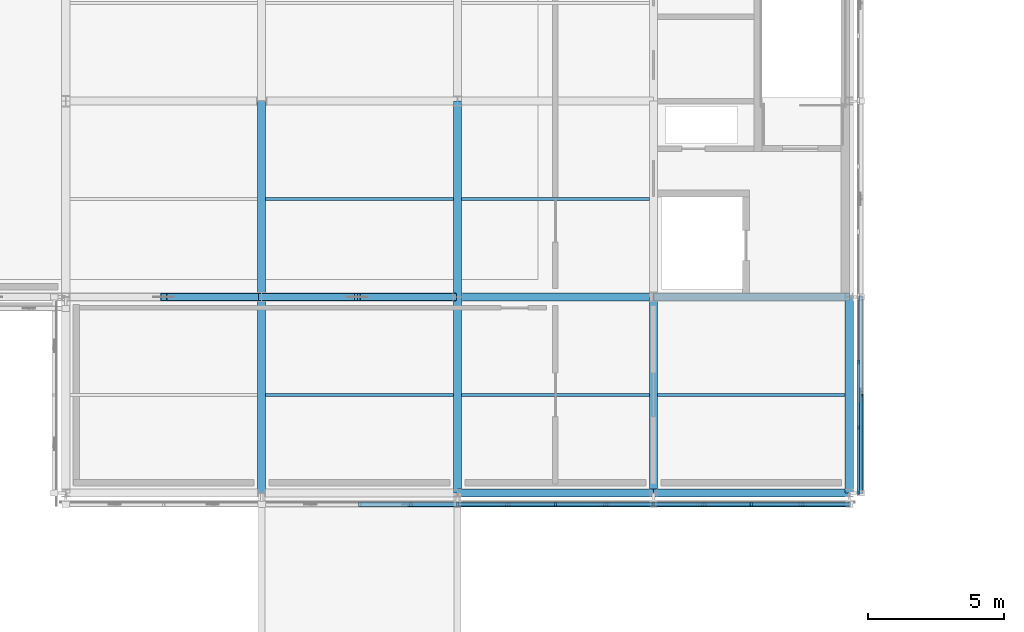
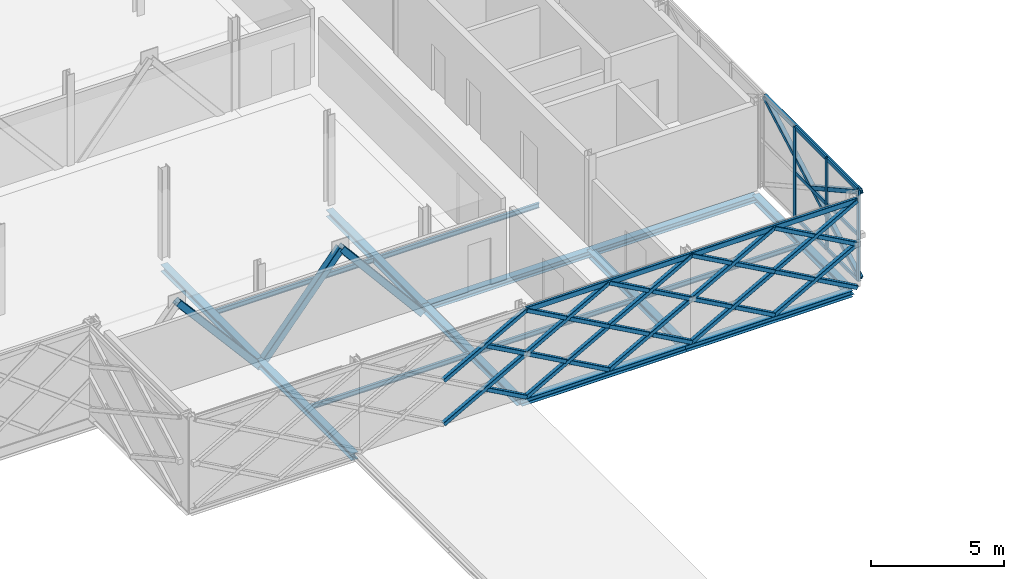
# One storey, part 34 of 103: 45 members, 15 beams, 1 element without a shape of its own.
"""IFC4 building model written with IfcOpenShell, lengths in metres."""

from ifc_helpers import new_model, si_unit, direction, frame, origin, origin_2d, place, context, subcontext, project, spatial, rectangle, hollow_rectangle, i_section, extrude, material, material_profile, profile_set, type_object, element, aggregate, save


model = new_model("IFC4")

# Units and contexts
model_context = context("Model", 3, precision=1e-05, world=origin(), true_north=direction((0.0, 1.0)))
body_context = subcontext(model_context, "Body", "Model", "MODEL_VIEW")
ifc_project = project(units=[si_unit("LENGTHUNIT", "METRE"), si_unit("AREAUNIT", "SQUARE_METRE"), si_unit("VOLUMEUNIT", "CUBIC_METRE"), si_unit("PLANEANGLEUNIT", "RADIAN"), si_unit("MASSUNIT", "GRAM", prefix="KILO")], contexts=[model_context])

# Site, building, storey
site_placement = place(None, origin())
site = spatial("IfcSite", under=ifc_project, at=site_placement, CompositionType="ELEMENT")
building_placement = place(site_placement, origin())
building = spatial("IfcBuilding", under=site, at=building_placement, Name="Zlatovets Crest Museum", CompositionType="ELEMENT")
storey_placement = place(building_placement, frame((0.0, 0.0, 12.89990234375)))
storey = spatial("IfcBuildingStorey", under=building, at=storey_placement, Name="L03", CompositionType="ELEMENT", Elevation=12.89990234375)

# Beams
ifc_material_1 = material(Name="Structural steel S355J2", Category="steel")
ifc_material_profile_1 = material_profile(ifc_material_1, i_section(OverallWidth=0.300048828125, OverallDepth=0.31005859375, WebThickness=0.009033203125, FlangeThickness=0.015380859375, FilletRadius=0.027099609375, at=origin_2d()), Name="HEA 320")
ifc_profile_set_1 = profile_set([ifc_material_profile_1], Name="Structural steel S355J2")
beam_type_1 = type_object("IfcBeamType", Name="Beam_B-04", PredefinedType="BEAM", material=ifc_profile_set_1)
beam_1_placement = place(storey_placement, frame((14.39990234375, 50.39990234375, -0.39501953125), z_axis=(0.0, 1.0, 0.0), x_axis=(-1.0, 0.0, 0.0)))
element("IfcBeam", 1, at=beam_1_placement, inside=storey, type_object=beam_type_1, Name="V4 L03 Grid Beam B-04", PredefinedType="BEAM", context=body_context, shape_type="SweptSolid", body=[
    extrude(i_section(OverallWidth=0.300048828125, OverallDepth=0.31005859375, WebThickness=0.009033203125, FlangeThickness=0.015380859375, FilletRadius=0.027099609375, at=origin_2d()), origin(), (0.0, 0.0, 1.0), 7.2001953125),
])
beam_2_placement = place(storey_placement, frame((14.39990234375, 57.60009765625, -0.39501953125), z_axis=(0.0, 1.0, 0.0), x_axis=(-1.0, 0.0, 0.0)))
element("IfcBeam", 2, at=beam_2_placement, inside=storey, type_object=beam_type_1, Name="V4 L03 Grid Beam B-04", PredefinedType="BEAM", context=body_context, shape_type="SweptSolid", body=[
    extrude(i_section(OverallWidth=0.300048828125, OverallDepth=0.31005859375, WebThickness=0.009033203125, FlangeThickness=0.015380859375, FilletRadius=0.027099609375, at=origin_2d()), origin(), (0.0, 0.0, 1.0), 7.199951171875),
])
beam_3_placement = place(storey_placement, frame((21.60009765625, 50.39990234375, -0.39501953125), z_axis=(0.0, 1.0, 0.0), x_axis=(-1.0, 0.0, 0.0)))
element("IfcBeam", 3, at=beam_3_placement, inside=storey, type_object=beam_type_1, Name="V4 L03 Grid Beam B-04", PredefinedType="BEAM", context=body_context, shape_type="SweptSolid", body=[
    extrude(i_section(OverallWidth=0.300048828125, OverallDepth=0.31005859375, WebThickness=0.009033203125, FlangeThickness=0.015380859375, FilletRadius=0.027099609375, at=origin_2d()), origin(), (0.0, 0.0, 1.0), 7.2001953125),
])
beam_4_placement = place(storey_placement, frame((21.60009765625, 57.60009765625, -0.39501953125), z_axis=(0.0, 1.0, 0.0), x_axis=(-1.0, 0.0, 0.0)))
element("IfcBeam", 4, at=beam_4_placement, inside=storey, type_object=beam_type_1, Name="V4 L03 Grid Beam B-04", PredefinedType="BEAM", context=body_context, shape_type="SweptSolid", body=[
    extrude(i_section(OverallWidth=0.300048828125, OverallDepth=0.31005859375, WebThickness=0.009033203125, FlangeThickness=0.015380859375, FilletRadius=0.027099609375, at=origin_2d()), origin(), (0.0, 0.0, 1.0), 7.199951171875),
])
for number, where, z_axis, x_axis, name in (
    (5, (28.800048828125, 50.39990234375, -0.39501953125), (0.0, 1.0, 0.0), (-1.0, 0.0, 0.0), "V4 L03 Grid Beam B-04"),
    (6, (36.0, 50.39990234375, -0.39501953125), (0.0, 1.0, 0.0), (-1.0, 0.0, 0.0), "V4 L03 Grid Beam B-04"),
):
    element("IfcBeam", number, at=place(storey_placement, frame(where, z_axis=z_axis, x_axis=x_axis)), inside=storey, type_object=beam_type_1, Name=name, PredefinedType="BEAM", context=body_context, shape_type="SweptSolid", body=[
        extrude(i_section(OverallWidth=0.300048828125, OverallDepth=0.31005859375, WebThickness=0.009033203125, FlangeThickness=0.015380859375, FilletRadius=0.027099609375, at=origin_2d()), origin(), (0.0, 0.0, 1.0), 7.2001953125),
    ])
ifc_material_profile_2 = material_profile(ifc_material_1, i_section(OverallWidth=0.300048828125, OverallDepth=0.2900390625, WebThickness=0.008544921875, FlangeThickness=0.013916015625, FilletRadius=0.027099609375, at=origin_2d()), Name="HEA 300")
ifc_profile_set_2 = profile_set([ifc_material_profile_2], Name="Structural steel S355J2")
beam_type_2 = type_object("IfcBeamType", Name="Beam_B-12", PredefinedType="BEAM", material=ifc_profile_set_2)
for number, where, z_axis, x_axis, name in (
    (7, (21.60009765625, 50.39990234375, -0.385009765625), (1.0, 0.0, 0.0), (0.0, 1.0, 0.0), "V4 L03 Primary Girder B-12"),
    (8, (28.800048828125, 50.39990234375, -0.385009765625), (1.0, 0.0, 0.0), (0.0, 1.0, 0.0), "V4 L03 Primary Girder B-12"),
    (9, (21.60009765625, 57.60009765625, -0.385009765625), (1.0, 0.0, 0.0), (0.0, 1.0, 0.0), "V4 L03 Primary Girder B-12"),
    (10, (28.800048828125, 57.60009765625, -0.385009765625), (1.0, 0.0, 0.0), (0.0, 1.0, 0.0), "V4 L03 Primary Girder B-12"),
):
    element("IfcBeam", number, at=place(storey_placement, frame(where, z_axis=z_axis, x_axis=x_axis)), inside=storey, type_object=beam_type_2, Name=name, PredefinedType="BEAM", context=body_context, shape_type="SweptSolid", body=[
        extrude(i_section(OverallWidth=0.300048828125, OverallDepth=0.2900390625, WebThickness=0.008544921875, FlangeThickness=0.013916015625, FilletRadius=0.027099609375, at=origin_2d()), origin(), (0.0, 0.0, 1.0), 7.199951171875),
    ])
ifc_material_profile_3 = material_profile(ifc_material_1, i_section(OverallWidth=0.110107421875, OverallDepth=0.219970703125, WebThickness=0.005859375, FlangeThickness=0.00927734375, FilletRadius=0.011962890625, at=origin_2d()), Name="IPE 220")
ifc_profile_set_3 = profile_set([ifc_material_profile_3], Name="Structural steel S355J2")
beam_type_3 = type_object("IfcBeamType", Name="Beam_J-10", PredefinedType="JOIST", material=ifc_profile_set_3)
for number, where, z_axis, x_axis, name in (
    (11, (14.550048828125, 54.0, -0.349853515625), (1.0, 0.0, 0.0), (0.0, 1.0, 0.0), "V4 L03 Composite Joist J-10"),
    (12, (14.550048828125, 61.199951171875, -0.349853515625), (1.0, 0.0, 0.0), (0.0, 1.0, 0.0), "V4 L03 Composite Joist J-10"),
    (13, (21.75, 54.0, -0.349853515625), (1.0, 0.0, 0.0), (0.0, 1.0, 0.0), "V4 L03 Composite Joist J-10"),
    (14, (21.75, 61.199951171875, -0.349853515625), (1.0, 0.0, 0.0), (0.0, 1.0, 0.0), "V4 L03 Composite Joist J-10"),
):
    element("IfcBeam", number, at=place(storey_placement, frame(where, z_axis=z_axis, x_axis=x_axis)), inside=storey, type_object=beam_type_3, Name=name, PredefinedType="JOIST", context=body_context, shape_type="SweptSolid", body=[
        extrude(i_section(OverallWidth=0.110107421875, OverallDepth=0.219970703125, WebThickness=0.005859375, FlangeThickness=0.00927734375, FilletRadius=0.011962890625, at=origin_2d()), origin(), (0.0, 0.0, 1.0), 6.89990234375),
    ])
beam_5_placement = place(storey_placement, frame((28.949951171875, 54.0, -0.349853515625), z_axis=(1.0, 0.0, 0.0), x_axis=(0.0, 1.0, 0.0)))
element("IfcBeam", 15, at=beam_5_placement, inside=storey, type_object=beam_type_3, Name="V4 L03 Composite Joist J-10", PredefinedType="JOIST", context=body_context, shape_type="SweptSolid", body=[
    extrude(i_section(OverallWidth=0.110107421875, OverallDepth=0.219970703125, WebThickness=0.005859375, FlangeThickness=0.00927734375, FilletRadius=0.011962890625, at=origin_2d()), origin(), (0.0, 0.0, 1.0), 6.900146484375),
])

# Curtain wall, members
ifc_material_2 = material(Name="Bronze-anodised aluminium and low-E triple glass", Category="aluminium")
curtain_wall_type = type_object("IfcCurtainWallType", Name="CW_CW-V4-L03-M0", PredefinedType="NOTDEFINED", material=ifc_material_2)
curtain_wall_placement = place(storey_placement, origin())
curtain_wall = element("IfcCurtainWall", 16, at=curtain_wall_placement, inside=storey, type_object=curtain_wall_type, Name="V4 L03 Secession Foyer Clear Curtain Wall", PredefinedType="NOTDEFINED")
ifc_material_3 = material(Name="Bronze-anodised aluminium EN AW-6060", Category="aluminium")
ifc_material_profile_4 = material_profile(ifc_material_3, rectangle(XDim=0.080078125, YDim=0.159912109375, at=origin_2d()), Name="ALU 80x160")
ifc_profile_set_4 = profile_set([ifc_material_profile_4], Name="Bronze-anodised aluminium EN AW-6060")
member_type_1 = type_object("IfcMemberType", Name="CWMull_M1", PredefinedType="MULLION", material=ifc_profile_set_4)
member_1_placement = place(storey_placement, frame((36.340087890625, 50.429931640625, 0.0), z_axis=(0.0, 0.0, 1.0), x_axis=(-1.0, 0.0, 0.0)))
member_1 = element("IfcMember", 17, at=member_1_placement, type_object=member_type_1, Name="CW-V4-L03-M0 mullion 1", PredefinedType="MULLION", context=body_context, shape_type="SweptSolid", body=[
    extrude(rectangle(XDim=0.080078125, YDim=0.159912109375, at=origin_2d()), origin(), (0.0, 0.0, 1.0), 4.2001953125),
])
member_2_placement = place(storey_placement, frame((36.340087890625, 52.800048828125, 0.0), z_axis=(0.0, 0.0, 1.0), x_axis=(-1.0, 0.0, 0.0)))
member_2 = element("IfcMember", 18, at=member_2_placement, type_object=member_type_1, Name="CW-V4-L03-M0 mullion 2", PredefinedType="MULLION", context=body_context, shape_type="SweptSolid", body=[
    extrude(rectangle(XDim=0.080078125, YDim=0.159912109375, at=origin_2d()), origin(), (0.0, 0.0, 1.0), 4.2001953125),
])
member_3_placement = place(storey_placement, frame((36.340087890625, 55.199951171875, 0.0), z_axis=(0.0, 0.0, 1.0), x_axis=(-1.0, 0.0, 0.0)))
member_3 = element("IfcMember", 19, at=member_3_placement, type_object=member_type_1, Name="CW-V4-L03-M0 mullion 3", PredefinedType="MULLION", context=body_context, shape_type="SweptSolid", body=[
    extrude(rectangle(XDim=0.080078125, YDim=0.159912109375, at=origin_2d()), origin(), (0.0, 0.0, 1.0), 4.2001953125),
])
ifc_material_profile_5 = material_profile(ifc_material_3, rectangle(XDim=0.080078125, YDim=0.159912109375, at=origin_2d()), Name="ALU 80x160")
ifc_profile_set_5 = profile_set([ifc_material_profile_5], Name="Bronze-anodised aluminium EN AW-6060")
member_type_2 = type_object("IfcMemberType", Name="CWTrans_T1", PredefinedType="USERDEFINED", material=ifc_profile_set_5)
member_4_placement = place(storey_placement, frame((36.340087890625, 50.4599609375, 0.030029296875), z_axis=(0.0, 1.0, 0.0), x_axis=(-1.0, 0.0, 0.0)))
member_4 = element("IfcMember", 20, at=member_4_placement, type_object=member_type_2, Name="CW-V4-L03-M0 transom 1.1", ObjectType="TRANSOM", PredefinedType="USERDEFINED", context=body_context, shape_type="SweptSolid", body=[
    extrude(rectangle(XDim=0.080078125, YDim=0.159912109375, at=origin_2d()), origin(), (0.0, 0.0, 1.0), 2.31005859375),
])
member_5_placement = place(storey_placement, frame((36.340087890625, 50.4599609375, 2.10009765625), z_axis=(0.0, 1.0, 0.0), x_axis=(-1.0, 0.0, 0.0)))
member_5 = element("IfcMember", 21, at=member_5_placement, type_object=member_type_2, Name="CW-V4-L03-M0 transom 1.2", ObjectType="TRANSOM", PredefinedType="USERDEFINED", context=body_context, shape_type="SweptSolid", body=[
    extrude(rectangle(XDim=0.080078125, YDim=0.159912109375, at=origin_2d()), origin(), (0.0, 0.0, 1.0), 2.31005859375),
])
member_6_placement = place(storey_placement, frame((36.340087890625, 50.4599609375, 4.170166015625), z_axis=(0.0, 1.0, 0.0), x_axis=(-1.0, 0.0, 0.0)))
member_6 = element("IfcMember", 22, at=member_6_placement, type_object=member_type_2, Name="CW-V4-L03-M0 transom 1.3", ObjectType="TRANSOM", PredefinedType="USERDEFINED", context=body_context, shape_type="SweptSolid", body=[
    extrude(rectangle(XDim=0.080078125, YDim=0.159912109375, at=origin_2d()), origin(), (0.0, 0.0, 1.0), 2.31005859375),
])
member_7_placement = place(storey_placement, frame((36.340087890625, 52.830078125, 0.030029296875), z_axis=(0.0, 1.0, 0.0), x_axis=(-1.0, 0.0, 0.0)))
member_7 = element("IfcMember", 23, at=member_7_placement, type_object=member_type_2, Name="CW-V4-L03-M0 transom 2.1", ObjectType="TRANSOM", PredefinedType="USERDEFINED", context=body_context, shape_type="SweptSolid", body=[
    extrude(rectangle(XDim=0.080078125, YDim=0.159912109375, at=origin_2d()), origin(), (0.0, 0.0, 1.0), 2.33984375),
])
member_8_placement = place(storey_placement, frame((36.340087890625, 52.830078125, 2.10009765625), z_axis=(0.0, 1.0, 0.0), x_axis=(-1.0, 0.0, 0.0)))
member_8 = element("IfcMember", 24, at=member_8_placement, type_object=member_type_2, Name="CW-V4-L03-M0 transom 2.2", ObjectType="TRANSOM", PredefinedType="USERDEFINED", context=body_context, shape_type="SweptSolid", body=[
    extrude(rectangle(XDim=0.080078125, YDim=0.159912109375, at=origin_2d()), origin(), (0.0, 0.0, 1.0), 2.33984375),
])
member_9_placement = place(storey_placement, frame((36.340087890625, 52.830078125, 4.170166015625), z_axis=(0.0, 1.0, 0.0), x_axis=(-1.0, 0.0, 0.0)))
member_9 = element("IfcMember", 25, at=member_9_placement, type_object=member_type_2, Name="CW-V4-L03-M0 transom 2.3", ObjectType="TRANSOM", PredefinedType="USERDEFINED", context=body_context, shape_type="SweptSolid", body=[
    extrude(rectangle(XDim=0.080078125, YDim=0.159912109375, at=origin_2d()), origin(), (0.0, 0.0, 1.0), 2.33984375),
])
aggregate(curtain_wall, [member_1, member_2, member_3, member_4, member_5, member_6, member_7, member_8, member_9])

# Members
ifc_material_4 = material(Name="Weathering bronze-steel S355J2W", Category="steel")
ifc_material_profile_6 = material_profile(ifc_material_4, hollow_rectangle(XDim=0.179931640625, YDim=0.179931640625, WallThickness=0.010009765625, InnerFilletRadius=0.010009765625, OuterFilletRadius=0.02001953125, at=origin_2d()), Name="SHS 180x180x10.0")
ifc_profile_set_6 = profile_set([ifc_material_profile_6], Name="Weathering bronze-steel S355J2W")
member_type_3 = type_object("IfcMemberType", Name="Lattice_XL-01", PredefinedType="BRACE", material=ifc_profile_set_6)
member_10_placement = place(storey_placement, frame((18.0, 49.97998046875, 0.10009765625), z_axis=(0.874162868644, 0.0, 0.485632864501), x_axis=(0.0, 1.0, 0.0)))
element("IfcMember", 26, at=member_10_placement, inside=storey, type_object=member_type_3, Name="Continuous Bronze Lattice Diagonal", PredefinedType="BRACE", context=body_context, shape_type="SweptSolid", body=[
    extrude(hollow_rectangle(XDim=0.179931640625, YDim=0.179931640625, WallThickness=0.010009765625, InnerFilletRadius=0.010009765625, OuterFilletRadius=0.02001953125, at=origin_2d()), origin(), (0.0, 0.0, 1.0), 4.118408203125),
])
member_11_placement = place(storey_placement, frame((19.883056640625, 49.97998046875, 1.053955078125), z_axis=(0.874169001841, 0.0, -0.485621824284), x_axis=(0.0, 1.0, 0.0)))
element("IfcMember", 27, at=member_11_placement, inside=storey, type_object=member_type_3, Name="Split Crossing Bronze Lattice Diagonal Lower", PredefinedType="BRACE", context=body_context, shape_type="SweptSolid", body=[
    extrude(hollow_rectangle(XDim=0.179931640625, YDim=0.179931640625, WallThickness=0.010009765625, InnerFilletRadius=0.010009765625, OuterFilletRadius=0.02001953125, at=origin_2d()), origin(), (0.0, 0.0, 1.0), 1.964111328125),
])
member_12_placement = place(storey_placement, frame((18.0, 49.97998046875, 2.10009765625), z_axis=(0.874162868644, 0.0, 0.485632864501), x_axis=(0.0, 1.0, 0.0)))
element("IfcMember", 28, at=member_12_placement, inside=storey, type_object=member_type_3, Name="Continuous Bronze Lattice Diagonal", PredefinedType="BRACE", context=body_context, shape_type="SweptSolid", body=[
    extrude(hollow_rectangle(XDim=0.179931640625, YDim=0.179931640625, WallThickness=0.010009765625, InnerFilletRadius=0.010009765625, OuterFilletRadius=0.02001953125, at=origin_2d()), origin(), (0.0, 0.0, 1.0), 4.118408203125),
])
member_13_placement = place(storey_placement, frame((19.883056640625, 49.97998046875, 3.053955078125), z_axis=(0.874169001841, 0.0, -0.485621824284), x_axis=(0.0, 1.0, 0.0)))
element("IfcMember", 29, at=member_13_placement, inside=storey, type_object=member_type_3, Name="Split Crossing Bronze Lattice Diagonal Lower", PredefinedType="BRACE", context=body_context, shape_type="SweptSolid", body=[
    extrude(hollow_rectangle(XDim=0.179931640625, YDim=0.179931640625, WallThickness=0.010009765625, InnerFilletRadius=0.010009765625, OuterFilletRadius=0.02001953125, at=origin_2d()), origin(), (0.0, 0.0, 1.0), 1.964111328125),
])
member_14_placement = place(storey_placement, frame((21.60009765625, 49.97998046875, 0.10009765625), z_axis=(0.874148886685, 0.0, 0.485658031857), x_axis=(0.0, 1.0, 0.0)))
element("IfcMember", 30, at=member_14_placement, inside=storey, type_object=member_type_3, Name="Continuous Bronze Lattice Diagonal", PredefinedType="BRACE", context=body_context, shape_type="SweptSolid", body=[
    extrude(hollow_rectangle(XDim=0.179931640625, YDim=0.179931640625, WallThickness=0.010009765625, InnerFilletRadius=0.010009765625, OuterFilletRadius=0.02001953125, at=origin_2d()), origin(), (0.0, 0.0, 1.0), 4.1181640625),
])
member_15_placement = place(storey_placement, frame((21.60009765625, 49.97998046875, 2.10009765625), z_axis=(0.874139684676, 0.0, -0.48567459443), x_axis=(0.0, 1.0, 0.0)))
element("IfcMember", 31, at=member_15_placement, inside=storey, type_object=member_type_3, Name="Split Crossing Bronze Lattice Diagonal Upper", PredefinedType="BRACE", context=body_context, shape_type="SweptSolid", body=[
    extrude(hollow_rectangle(XDim=0.179931640625, YDim=0.179931640625, WallThickness=0.010009765625, InnerFilletRadius=0.010009765625, OuterFilletRadius=0.02001953125, at=origin_2d()), origin(), (0.0, 0.0, 1.0), 1.9638671875),
])
member_16_placement = place(storey_placement, frame((23.48291015625, 49.97998046875, 1.053955078125), z_axis=(0.874169001841, 0.0, -0.485621824284), x_axis=(0.0, 1.0, 0.0)))
element("IfcMember", 32, at=member_16_placement, inside=storey, type_object=member_type_3, Name="Split Crossing Bronze Lattice Diagonal Lower", PredefinedType="BRACE", context=body_context, shape_type="SweptSolid", body=[
    extrude(hollow_rectangle(XDim=0.179931640625, YDim=0.179931640625, WallThickness=0.010009765625, InnerFilletRadius=0.010009765625, OuterFilletRadius=0.02001953125, at=origin_2d()), origin(), (0.0, 0.0, 1.0), 1.964111328125),
])
member_17_placement = place(storey_placement, frame((25.199951171875, 49.97998046875, 0.10009765625), z_axis=(0.874162868644, 0.0, 0.485632864501), x_axis=(0.0, 1.0, 0.0)))
element("IfcMember", 33, at=member_17_placement, inside=storey, type_object=member_type_3, Name="Continuous Bronze Lattice Diagonal", PredefinedType="BRACE", context=body_context, shape_type="SweptSolid", body=[
    extrude(hollow_rectangle(XDim=0.179931640625, YDim=0.179931640625, WallThickness=0.010009765625, InnerFilletRadius=0.010009765625, OuterFilletRadius=0.02001953125, at=origin_2d()), origin(), (0.0, 0.0, 1.0), 4.118408203125),
])
for number, where, z_axis, x_axis, name in (
    (34, (25.199951171875, 49.97998046875, 2.10009765625), (0.874169001841, 0.0, -0.485621824284), (0.0, 1.0, 0.0), "Split Crossing Bronze Lattice Diagonal Upper"),
    (35, (27.0830078125, 49.97998046875, 1.053955078125), (0.874169001841, 0.0, -0.485621824284), (0.0, 1.0, 0.0), "Split Crossing Bronze Lattice Diagonal Lower"),
):
    element("IfcMember", number, at=place(storey_placement, frame(where, z_axis=z_axis, x_axis=x_axis)), inside=storey, type_object=member_type_3, Name=name, PredefinedType="BRACE", context=body_context, shape_type="SweptSolid", body=[
        extrude(hollow_rectangle(XDim=0.179931640625, YDim=0.179931640625, WallThickness=0.010009765625, InnerFilletRadius=0.010009765625, OuterFilletRadius=0.02001953125, at=origin_2d()), origin(), (0.0, 0.0, 1.0), 1.964111328125),
    ])
member_18_placement = place(storey_placement, frame((21.60009765625, 49.97998046875, 2.10009765625), z_axis=(0.874148886685, 0.0, 0.485658031857), x_axis=(0.0, 1.0, 0.0)))
element("IfcMember", 36, at=member_18_placement, inside=storey, type_object=member_type_3, Name="Continuous Bronze Lattice Diagonal", PredefinedType="BRACE", context=body_context, shape_type="SweptSolid", body=[
    extrude(hollow_rectangle(XDim=0.179931640625, YDim=0.179931640625, WallThickness=0.010009765625, InnerFilletRadius=0.010009765625, OuterFilletRadius=0.02001953125, at=origin_2d()), origin(), (0.0, 0.0, 1.0), 4.1181640625),
])
member_19_placement = place(storey_placement, frame((21.60009765625, 49.97998046875, 4.10009765625), z_axis=(0.874139684676, 0.0, -0.48567459443), x_axis=(0.0, 1.0, 0.0)))
element("IfcMember", 37, at=member_19_placement, inside=storey, type_object=member_type_3, Name="Split Crossing Bronze Lattice Diagonal Upper", PredefinedType="BRACE", context=body_context, shape_type="SweptSolid", body=[
    extrude(hollow_rectangle(XDim=0.179931640625, YDim=0.179931640625, WallThickness=0.010009765625, InnerFilletRadius=0.010009765625, OuterFilletRadius=0.02001953125, at=origin_2d()), origin(), (0.0, 0.0, 1.0), 1.9638671875),
])
member_20_placement = place(storey_placement, frame((23.48291015625, 49.97998046875, 3.053955078125), z_axis=(0.874169001841, 0.0, -0.485621824284), x_axis=(0.0, 1.0, 0.0)))
element("IfcMember", 38, at=member_20_placement, inside=storey, type_object=member_type_3, Name="Split Crossing Bronze Lattice Diagonal Lower", PredefinedType="BRACE", context=body_context, shape_type="SweptSolid", body=[
    extrude(hollow_rectangle(XDim=0.179931640625, YDim=0.179931640625, WallThickness=0.010009765625, InnerFilletRadius=0.010009765625, OuterFilletRadius=0.02001953125, at=origin_2d()), origin(), (0.0, 0.0, 1.0), 1.964111328125),
])
member_21_placement = place(storey_placement, frame((25.199951171875, 49.97998046875, 2.10009765625), z_axis=(0.874162868644, 0.0, 0.485632864501), x_axis=(0.0, 1.0, 0.0)))
element("IfcMember", 39, at=member_21_placement, inside=storey, type_object=member_type_3, Name="Continuous Bronze Lattice Diagonal", PredefinedType="BRACE", context=body_context, shape_type="SweptSolid", body=[
    extrude(hollow_rectangle(XDim=0.179931640625, YDim=0.179931640625, WallThickness=0.010009765625, InnerFilletRadius=0.010009765625, OuterFilletRadius=0.02001953125, at=origin_2d()), origin(), (0.0, 0.0, 1.0), 4.118408203125),
])
for number, where, z_axis, x_axis, name in (
    (40, (25.199951171875, 49.97998046875, 4.10009765625), (0.874169001841, 0.0, -0.485621824284), (0.0, 1.0, 0.0), "Split Crossing Bronze Lattice Diagonal Upper"),
    (41, (27.0830078125, 49.97998046875, 3.053955078125), (0.874169001841, 0.0, -0.485621824284), (0.0, 1.0, 0.0), "Split Crossing Bronze Lattice Diagonal Lower"),
):
    element("IfcMember", number, at=place(storey_placement, frame(where, z_axis=z_axis, x_axis=x_axis)), inside=storey, type_object=member_type_3, Name=name, PredefinedType="BRACE", context=body_context, shape_type="SweptSolid", body=[
        extrude(hollow_rectangle(XDim=0.179931640625, YDim=0.179931640625, WallThickness=0.010009765625, InnerFilletRadius=0.010009765625, OuterFilletRadius=0.02001953125, at=origin_2d()), origin(), (0.0, 0.0, 1.0), 1.964111328125),
    ])
member_22_placement = place(storey_placement, frame((28.800048828125, 49.97998046875, 0.10009765625), z_axis=(0.874148886685, 0.0, 0.485658031857), x_axis=(0.0, 1.0, 0.0)))
element("IfcMember", 42, at=member_22_placement, inside=storey, type_object=member_type_3, Name="Continuous Bronze Lattice Diagonal", PredefinedType="BRACE", context=body_context, shape_type="SweptSolid", body=[
    extrude(hollow_rectangle(XDim=0.179931640625, YDim=0.179931640625, WallThickness=0.010009765625, InnerFilletRadius=0.010009765625, OuterFilletRadius=0.02001953125, at=origin_2d()), origin(), (0.0, 0.0, 1.0), 4.1181640625),
])
member_23_placement = place(storey_placement, frame((28.800048828125, 49.97998046875, 2.10009765625), z_axis=(0.874169001841, 0.0, -0.485621824284), x_axis=(0.0, 1.0, 0.0)))
element("IfcMember", 43, at=member_23_placement, inside=storey, type_object=member_type_3, Name="Split Crossing Bronze Lattice Diagonal Upper", PredefinedType="BRACE", context=body_context, shape_type="SweptSolid", body=[
    extrude(hollow_rectangle(XDim=0.179931640625, YDim=0.179931640625, WallThickness=0.010009765625, InnerFilletRadius=0.010009765625, OuterFilletRadius=0.02001953125, at=origin_2d()), origin(), (0.0, 0.0, 1.0), 1.964111328125),
])
member_24_placement = place(storey_placement, frame((30.68310546875, 49.97998046875, 1.053955078125), z_axis=(0.874139684676, 0.0, -0.48567459443), x_axis=(0.0, 1.0, 0.0)))
element("IfcMember", 44, at=member_24_placement, inside=storey, type_object=member_type_3, Name="Split Crossing Bronze Lattice Diagonal Lower", PredefinedType="BRACE", context=body_context, shape_type="SweptSolid", body=[
    extrude(hollow_rectangle(XDim=0.179931640625, YDim=0.179931640625, WallThickness=0.010009765625, InnerFilletRadius=0.010009765625, OuterFilletRadius=0.02001953125, at=origin_2d()), origin(), (0.0, 0.0, 1.0), 1.9638671875),
])
member_25_placement = place(storey_placement, frame((32.39990234375, 49.97998046875, 0.10009765625), z_axis=(0.874162868644, 0.0, 0.485632864501), x_axis=(0.0, 1.0, 0.0)))
element("IfcMember", 45, at=member_25_placement, inside=storey, type_object=member_type_3, Name="Continuous Bronze Lattice Diagonal", PredefinedType="BRACE", context=body_context, shape_type="SweptSolid", body=[
    extrude(hollow_rectangle(XDim=0.179931640625, YDim=0.179931640625, WallThickness=0.010009765625, InnerFilletRadius=0.010009765625, OuterFilletRadius=0.02001953125, at=origin_2d()), origin(), (0.0, 0.0, 1.0), 4.118408203125),
])
for number, where, z_axis, x_axis, name in (
    (46, (32.39990234375, 49.97998046875, 2.10009765625), (0.874169001841, 0.0, -0.485621824284), (0.0, 1.0, 0.0), "Split Crossing Bronze Lattice Diagonal Upper"),
    (47, (34.282958984375, 49.97998046875, 1.053955078125), (0.874169001841, 0.0, -0.485621824284), (0.0, 1.0, 0.0), "Split Crossing Bronze Lattice Diagonal Lower"),
):
    element("IfcMember", number, at=place(storey_placement, frame(where, z_axis=z_axis, x_axis=x_axis)), inside=storey, type_object=member_type_3, Name=name, PredefinedType="BRACE", context=body_context, shape_type="SweptSolid", body=[
        extrude(hollow_rectangle(XDim=0.179931640625, YDim=0.179931640625, WallThickness=0.010009765625, InnerFilletRadius=0.010009765625, OuterFilletRadius=0.02001953125, at=origin_2d()), origin(), (0.0, 0.0, 1.0), 1.964111328125),
    ])
member_26_placement = place(storey_placement, frame((28.800048828125, 49.97998046875, 2.10009765625), z_axis=(0.874148886685, 0.0, 0.485658031857), x_axis=(0.0, 1.0, 0.0)))
element("IfcMember", 48, at=member_26_placement, inside=storey, type_object=member_type_3, Name="Continuous Bronze Lattice Diagonal", PredefinedType="BRACE", context=body_context, shape_type="SweptSolid", body=[
    extrude(hollow_rectangle(XDim=0.179931640625, YDim=0.179931640625, WallThickness=0.010009765625, InnerFilletRadius=0.010009765625, OuterFilletRadius=0.02001953125, at=origin_2d()), origin(), (0.0, 0.0, 1.0), 4.1181640625),
])
member_27_placement = place(storey_placement, frame((28.800048828125, 49.97998046875, 4.10009765625), z_axis=(0.874169001841, 0.0, -0.485621824284), x_axis=(0.0, 1.0, 0.0)))
element("IfcMember", 49, at=member_27_placement, inside=storey, type_object=member_type_3, Name="Split Crossing Bronze Lattice Diagonal Upper", PredefinedType="BRACE", context=body_context, shape_type="SweptSolid", body=[
    extrude(hollow_rectangle(XDim=0.179931640625, YDim=0.179931640625, WallThickness=0.010009765625, InnerFilletRadius=0.010009765625, OuterFilletRadius=0.02001953125, at=origin_2d()), origin(), (0.0, 0.0, 1.0), 1.964111328125),
])
member_28_placement = place(storey_placement, frame((30.68310546875, 49.97998046875, 3.053955078125), z_axis=(0.874139684676, 0.0, -0.48567459443), x_axis=(0.0, 1.0, 0.0)))
element("IfcMember", 50, at=member_28_placement, inside=storey, type_object=member_type_3, Name="Split Crossing Bronze Lattice Diagonal Lower", PredefinedType="BRACE", context=body_context, shape_type="SweptSolid", body=[
    extrude(hollow_rectangle(XDim=0.179931640625, YDim=0.179931640625, WallThickness=0.010009765625, InnerFilletRadius=0.010009765625, OuterFilletRadius=0.02001953125, at=origin_2d()), origin(), (0.0, 0.0, 1.0), 1.9638671875),
])
member_29_placement = place(storey_placement, frame((32.39990234375, 49.97998046875, 2.10009765625), z_axis=(0.874162868644, 0.0, 0.485632864501), x_axis=(0.0, 1.0, 0.0)))
element("IfcMember", 51, at=member_29_placement, inside=storey, type_object=member_type_3, Name="Continuous Bronze Lattice Diagonal", PredefinedType="BRACE", context=body_context, shape_type="SweptSolid", body=[
    extrude(hollow_rectangle(XDim=0.179931640625, YDim=0.179931640625, WallThickness=0.010009765625, InnerFilletRadius=0.010009765625, OuterFilletRadius=0.02001953125, at=origin_2d()), origin(), (0.0, 0.0, 1.0), 4.118408203125),
])
for number, where, z_axis, x_axis, name in (
    (52, (32.39990234375, 49.97998046875, 4.10009765625), (0.874169001841, 0.0, -0.485621824284), (0.0, 1.0, 0.0), "Split Crossing Bronze Lattice Diagonal Upper"),
    (53, (34.282958984375, 49.97998046875, 3.053955078125), (0.874169001841, 0.0, -0.485621824284), (0.0, 1.0, 0.0), "Split Crossing Bronze Lattice Diagonal Lower"),
):
    element("IfcMember", number, at=place(storey_placement, frame(where, z_axis=z_axis, x_axis=x_axis)), inside=storey, type_object=member_type_3, Name=name, PredefinedType="BRACE", context=body_context, shape_type="SweptSolid", body=[
        extrude(hollow_rectangle(XDim=0.179931640625, YDim=0.179931640625, WallThickness=0.010009765625, InnerFilletRadius=0.010009765625, OuterFilletRadius=0.02001953125, at=origin_2d()), origin(), (0.0, 0.0, 1.0), 1.964111328125),
    ])
ifc_material_profile_7 = material_profile(ifc_material_4, hollow_rectangle(XDim=0.199951171875, YDim=0.199951171875, WallThickness=0.012451171875, InnerFilletRadius=0.012451171875, OuterFilletRadius=0.02490234375, at=origin_2d()), Name="SHS 200x200x12.5")
ifc_profile_set_7 = profile_set([ifc_material_profile_7], Name="Weathering bronze-steel S355J2W")
member_type_4 = type_object("IfcMemberType", Name="Lattice_XL-02", PredefinedType="BRACE", material=ifc_profile_set_7)
member_30_placement = place(storey_placement, frame((36.419921875, 50.39990234375, 0.10009765625), z_axis=(0.0, 0.874162868644, 0.485632864501), x_axis=(-1.0, 0.0, 0.0)))
element("IfcMember", 54, at=member_30_placement, inside=storey, type_object=member_type_4, Name="Continuous Bronze Lattice Diagonal", PredefinedType="BRACE", context=body_context, shape_type="SweptSolid", body=[
    extrude(hollow_rectangle(XDim=0.199951171875, YDim=0.199951171875, WallThickness=0.012451171875, InnerFilletRadius=0.012451171875, OuterFilletRadius=0.02490234375, at=origin_2d()), origin(), (0.0, 0.0, 1.0), 8.236572265625),
])
member_31_placement = place(storey_placement, frame((36.419921875, 50.39990234375, 4.10009765625), z_axis=(0.0, 0.874165862873, -0.485627474703), x_axis=(-1.0, 0.0, 0.0)))
element("IfcMember", 55, at=member_31_placement, inside=storey, type_object=member_type_4, Name="Split Crossing Bronze Lattice Diagonal Upper", PredefinedType="BRACE", context=body_context, shape_type="SweptSolid", body=[
    extrude(hollow_rectangle(XDim=0.199951171875, YDim=0.199951171875, WallThickness=0.012451171875, InnerFilletRadius=0.012451171875, OuterFilletRadius=0.02490234375, at=origin_2d()), origin(), (0.0, 0.0, 1.0), 4.0234375),
])
ifc_material_profile_8 = material_profile(ifc_material_4, hollow_rectangle(XDim=0.1201171875, YDim=0.239990234375, WallThickness=0.010009765625, InnerFilletRadius=0.010009765625, OuterFilletRadius=0.02001953125, at=origin_2d()), Name="RHS 120x240x10.0")
ifc_profile_set_8 = profile_set([ifc_material_profile_8], Name="Weathering bronze-steel S355J2W")
member_type_5 = type_object("IfcMemberType", Name="Lattice_XL-04", PredefinedType="CHORD", material=ifc_profile_set_8)
for number, where, z_axis, x_axis, name in (
    (56, (21.60009765625, 49.97998046875, 4.10009765625), (1.0, 0.0, 0.0), (0.0, 1.0, 0.0), "Art Nouveau Woven Cage Collector Ring Chord"),
    (57, (28.800048828125, 49.97998046875, 4.10009765625), (1.0, 0.0, 0.0), (0.0, 1.0, 0.0), "Art Nouveau Woven Cage Collector Ring Chord"),
):
    element("IfcMember", number, at=place(storey_placement, frame(where, z_axis=z_axis, x_axis=x_axis)), inside=storey, type_object=member_type_5, Name=name, PredefinedType="CHORD", context=body_context, shape_type="SweptSolid", body=[
        extrude(hollow_rectangle(XDim=0.1201171875, YDim=0.239990234375, WallThickness=0.010009765625, InnerFilletRadius=0.010009765625, OuterFilletRadius=0.02001953125, at=origin_2d()), origin(), (0.0, 0.0, 1.0), 7.199951171875),
    ])
member_32_placement = place(storey_placement, frame((36.419921875, 50.39990234375, 4.10009765625), z_axis=(0.0, 1.0, 0.0), x_axis=(-1.0, 0.0, 0.0)))
element("IfcMember", 58, at=member_32_placement, inside=storey, type_object=member_type_5, Name="Art Nouveau Woven Cage Collector Ring Chord", PredefinedType="CHORD", context=body_context, shape_type="SweptSolid", body=[
    extrude(hollow_rectangle(XDim=0.1201171875, YDim=0.239990234375, WallThickness=0.010009765625, InnerFilletRadius=0.010009765625, OuterFilletRadius=0.02001953125, at=origin_2d()), origin(), (0.0, 0.0, 1.0), 7.2001953125),
])
ifc_material_profile_9 = material_profile(ifc_material_1, hollow_rectangle(XDim=0.300048828125, YDim=0.300048828125, WallThickness=0.01611328125, InnerFilletRadius=0.01611328125, OuterFilletRadius=0.031982421875, at=origin_2d()), Name="SHS 300x300x16.0")
ifc_profile_set_9 = profile_set([ifc_material_profile_9], Name="Structural steel S355J2")
member_type_6 = type_object("IfcMemberType", Name="Member_TM-08", PredefinedType="BRACE", material=ifc_profile_set_9)
member_33_placement = place(storey_placement, frame((10.800048828125, 57.60009765625, 3.630126953125), z_axis=(0.648995313952, 0.0, -0.760792404318), x_axis=(0.0, 1.0, 0.0)))
element("IfcMember", 59, at=member_33_placement, inside=storey, type_object=member_type_6, Name="Transfer Truss TT-1 Web Diagonal", PredefinedType="BRACE", context=body_context, shape_type="SweptSolid", body=[
    extrude(hollow_rectangle(XDim=0.300048828125, YDim=0.300048828125, WallThickness=0.01611328125, InnerFilletRadius=0.01611328125, OuterFilletRadius=0.031982421875, at=origin_2d()), origin(), (0.0, 0.0, 1.0), 5.546875),
])
for number, where, z_axis, x_axis, name in (
    (60, (14.39990234375, 57.60009765625, -0.58984375), (0.640547026603, 0.0, 0.767918945404), (0.0, 1.0, 0.0), "Transfer Truss TT-1 Web Diagonal"),
    (61, (17.919921875, 57.60009765625, 3.630126953125), (0.640547026603, 0.0, -0.767918945404), (0.0, 1.0, 0.0), "Transfer Truss TT-1 Web Diagonal"),
):
    element("IfcMember", number, at=place(storey_placement, frame(where, z_axis=z_axis, x_axis=x_axis)), inside=storey, type_object=member_type_6, Name=name, PredefinedType="BRACE", context=body_context, shape_type="SweptSolid", body=[
        extrude(hollow_rectangle(XDim=0.300048828125, YDim=0.300048828125, WallThickness=0.01611328125, InnerFilletRadius=0.01611328125, OuterFilletRadius=0.031982421875, at=origin_2d()), origin(), (0.0, 0.0, 1.0), 5.495361328125),
    ])

save(model, "model.ifc")
